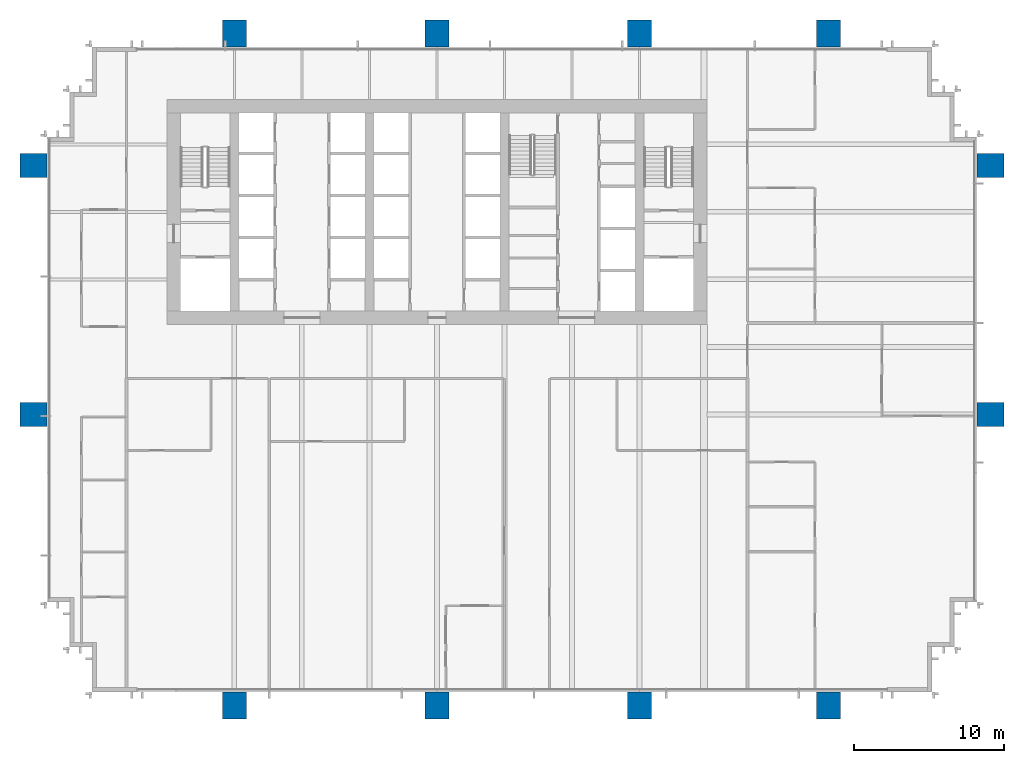
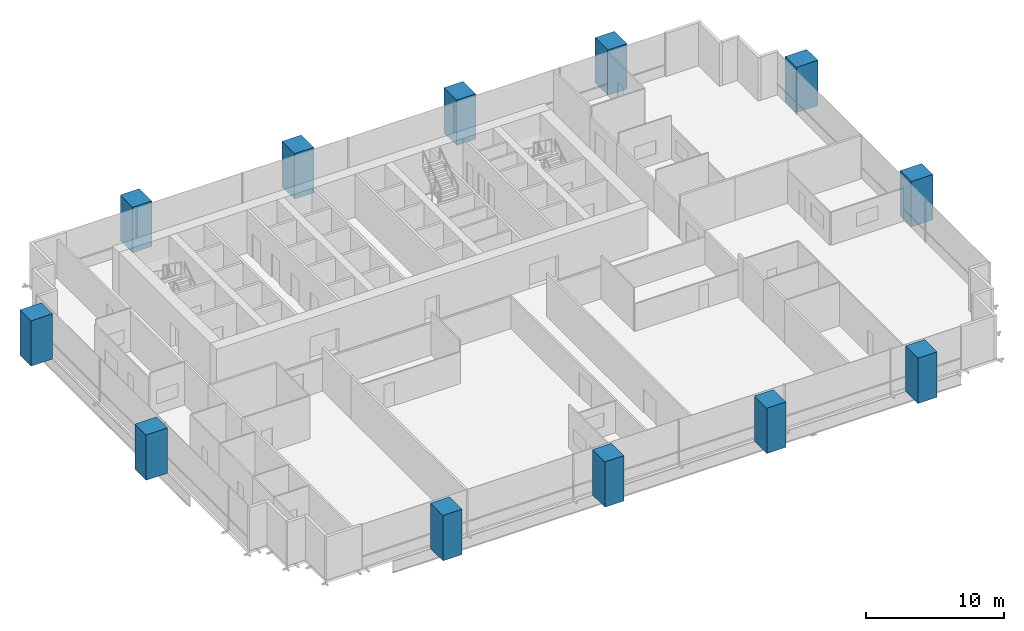
# One storey, part 1 of 17: 12 columns.
"""IFC4 building model written with IfcOpenShell, lengths in metres."""

from ifc_helpers import new_model, si_unit, direction, frame, origin, origin_2d, place, context, subcontext, project, spatial, rectangle, extrude, material, material_profile, profile_set, type_object, element, save


model = new_model("IFC4")

# Units and contexts
model_context = context("Model", 3, precision=1e-05, world=origin(), true_north=direction((0.0, 1.0)))
body_context = subcontext(model_context, "Body", "Model", "MODEL_VIEW")
ifc_project = project(units=[si_unit("LENGTHUNIT", "METRE"), si_unit("AREAUNIT", "SQUARE_METRE"), si_unit("VOLUMEUNIT", "CUBIC_METRE"), si_unit("PLANEANGLEUNIT", "RADIAN"), si_unit("MASSUNIT", "GRAM", prefix="KILO")], contexts=[model_context])

# Site, building, storey
site_placement = place(None, origin())
site = spatial("IfcSite", under=ifc_project, at=site_placement, CompositionType="ELEMENT")
building_placement = place(site_placement, origin())
building = spatial("IfcBuilding", under=site, at=building_placement, Name="Rattan Terrace Tower", CompositionType="ELEMENT")
storey_placement = place(building_placement, frame((0.0, 0.0, 95.699951171875)))
storey = spatial("IfcBuildingStorey", under=building, at=storey_placement, Name="L21", CompositionType="ELEMENT", Elevation=95.699951171875)

# Columns
ifc_material = material(Name="Concrete C60/75", Category="concrete")
ifc_material_profile = material_profile(ifc_material, rectangle(XDim=1.60009765625, YDim=1.800048828125, at=origin_2d()), Name="CFT 1800x1600")
ifc_profile_set = profile_set([ifc_material_profile], Name="Concrete C60/75")
column_type = type_object("IfcColumnType", Name="Frame exoskeleton column CFT 1800x1600", PredefinedType="COLUMN", material=ifc_profile_set)
for number, where, z_axis, x_axis, name in (
    (1, (-13.5, -32.89990234375, -0.199951171875), (0.0, 0.0, 1.0), (1.0, 0.0, 0.0), "exo-L21-001"),
    (2, (0.0, -32.89990234375, -0.199951171875), (0.0, 0.0, 1.0), (1.0, 0.0, 0.0), "exo-L21-002"),
    (3, (13.5, -32.89990234375, -0.199951171875), (0.0, 0.0, 1.0), (1.0, 0.0, 0.0), "exo-L21-003"),
    (4, (26.10009765625, -32.89990234375, -0.199951171875), (0.0, 0.0, 1.0), (1.0, 0.0, 0.0), "exo-L21-004"),
    (5, (-26.89990234375, -13.5, -0.199951171875), (0.0, 0.0, 1.0), (0.0, 1.0, 0.0), "exo-L21-005"),
    (6, (36.89990234375, -13.5, -0.199951171875), (0.0, 0.0, 1.0), (0.0, 1.0, 0.0), "exo-L21-006"),
    (7, (-26.89990234375, 3.10009765625, -0.199951171875), (0.0, 0.0, 1.0), (0.0, 1.0, 0.0), "exo-L21-007"),
    (8, (36.89990234375, 3.10009765625, -0.199951171875), (0.0, 0.0, 1.0), (0.0, 1.0, 0.0), "exo-L21-008"),
    (9, (-13.5, 11.89990234375, -0.199951171875), (0.0, 0.0, 1.0), (1.0, 0.0, 0.0), "exo-L21-009"),
    (10, (0.0, 11.89990234375, -0.199951171875), (0.0, 0.0, 1.0), (1.0, 0.0, 0.0), "exo-L21-010"),
    (11, (13.5, 11.89990234375, -0.199951171875), (0.0, 0.0, 1.0), (1.0, 0.0, 0.0), "exo-L21-011"),
    (12, (26.10009765625, 11.89990234375, -0.199951171875), (0.0, 0.0, 1.0), (1.0, 0.0, 0.0), "exo-L21-012"),
):
    element("IfcColumn", number, at=place(storey_placement, frame(where, z_axis=z_axis, x_axis=x_axis)), inside=storey, type_object=column_type, Name=name, PredefinedType="COLUMN", context=body_context, shape_type="SweptSolid", body=[
        extrude(rectangle(XDim=1.60009765625, YDim=1.800048828125, at=origin_2d()), origin(), (0.0, 0.0, 1.0), 4.0),
    ])

save(model, "model.ifc")
